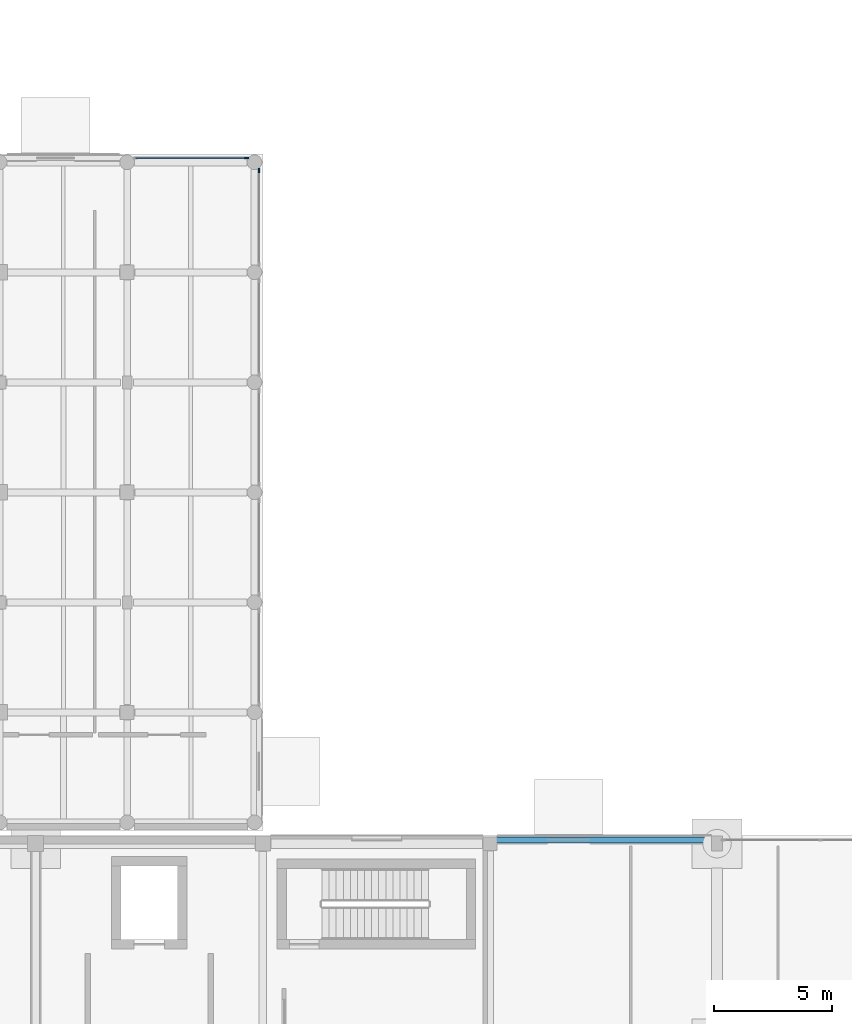
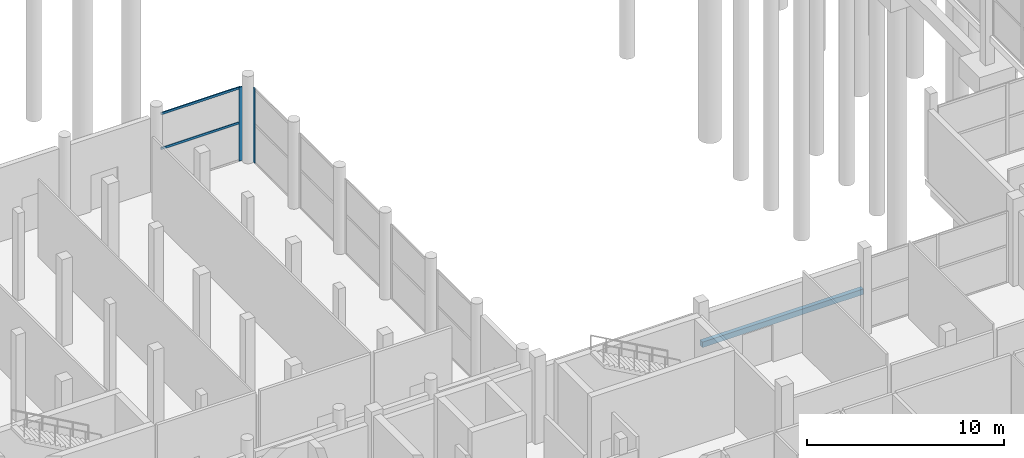
# One storey, part 30 of 88: 4 members, 1 beam, 2 elements without a shape of their own.
"""IFC4 building model written with IfcOpenShell, lengths in metres."""

from ifc_helpers import new_model, si_unit, direction, frame, origin, origin_2d, place, context, subcontext, project, spatial, rectangle, extrude, material, layer, layer_set, material_profile, profile_set, type_object, element, aggregate, save


model = new_model("IFC4")

# Units and contexts
model_context = context("Model", 3, precision=1e-05, world=origin(), true_north=direction((0.0, 1.0)))
body_context = subcontext(model_context, "Body", "Model", "MODEL_VIEW")
ifc_project = project(units=[si_unit("LENGTHUNIT", "METRE"), si_unit("AREAUNIT", "SQUARE_METRE"), si_unit("VOLUMEUNIT", "CUBIC_METRE"), si_unit("PLANEANGLEUNIT", "RADIAN"), si_unit("MASSUNIT", "GRAM", prefix="KILO")], contexts=[model_context])

# Site, building, storey
site_placement = place(None, origin())
site = spatial("IfcSite", under=ifc_project, at=site_placement, CompositionType="ELEMENT")
building_placement = place(site_placement, origin())
building = spatial("IfcBuilding", under=site, at=building_placement, Name="Birchvale Park Specialist Clinic", CompositionType="ELEMENT")
storey_placement = place(building_placement, origin())
storey = spatial("IfcBuildingStorey", under=building, at=storey_placement, Name="L00", CompositionType="ELEMENT", Elevation=0.0)

# Curtain wall, member
ifc_material_1 = material(Name="Thermally broken anodised aluminium", Category="aluminium")
ifc_layer = layer(ifc_material_1, 0.195068359375)
ifc_layer_set = layer_set([ifc_layer], Name="Thermally broken anodised aluminium")
curtain_wall_type = type_object("IfcCurtainWallType", Name="CW-U2", PredefinedType="USERDEFINED", material=ifc_layer_set)
curtain_wall_1_placement = place(storey_placement, origin())
curtain_wall_1 = element("IfcCurtainWall", 1, at=curtain_wall_1_placement, inside=storey, type_object=curtain_wall_type, Name="V1 L00 glazed curtain wall 5", ObjectType="UNITISED", PredefinedType="USERDEFINED")
ifc_material_profile_1 = material_profile(ifc_material_1, rectangle(XDim=0.06494140625, YDim=0.179931640625, at=origin_2d()), Name="CWM-65x180")
ifc_profile_set_1 = profile_set([ifc_material_profile_1], Name="Thermally broken anodised aluminium")
member_type_1 = type_object("IfcMemberType", Name="CWM2", PredefinedType="MULLION", material=ifc_profile_set_1)
member_1_placement = place(storey_placement, frame((90.034912109375, 62.70751953125, 0.0), z_axis=(0.0, 0.0, 1.0), x_axis=(-1.0, 0.0, 0.0)))
member_1 = element("IfcMember", 2, at=member_1_placement, type_object=member_type_1, Name="CW mullion 2", PredefinedType="MULLION", context=body_context, shape_type="SweptSolid", body=[
    extrude(rectangle(XDim=0.06494140625, YDim=0.179931640625, at=origin_2d()), origin(), (0.0, 0.0, 1.0), 4.625),
])
aggregate(curtain_wall_1, [member_1])

# Curtain wall, members
curtain_wall_2_placement = place(storey_placement, origin())
curtain_wall_2 = element("IfcCurtainWall", 3, at=curtain_wall_2_placement, inside=storey, type_object=curtain_wall_type, Name="V1 L00 glazed curtain wall 6", ObjectType="UNITISED", PredefinedType="USERDEFINED")
member_2_placement = place(storey_placement, frame((89.507568359375, 63.235107421875, 0.0), z_axis=(0.0, 0.0, 1.0), x_axis=(0.0, -1.0, 0.0)))
member_2 = element("IfcMember", 4, at=member_2_placement, type_object=member_type_1, Name="CW mullion 1", PredefinedType="MULLION", context=body_context, shape_type="SweptSolid", body=[
    extrude(rectangle(XDim=0.06494140625, YDim=0.179931640625, at=origin_2d()), origin(), (0.0, 0.0, 1.0), 4.574951171875),
])
ifc_material_profile_2 = material_profile(ifc_material_1, rectangle(XDim=0.06494140625, YDim=0.139892578125, at=origin_2d()), Name="CWT-65x140")
ifc_profile_set_2 = profile_set([ifc_material_profile_2], Name="Thermally broken anodised aluminium")
member_type_2 = type_object("IfcMemberType", Name="CWT2", PredefinedType="USERDEFINED", material=ifc_profile_set_2)
member_3_placement = place(storey_placement, frame((89.47509765625, 63.235107421875, 2.37890625), z_axis=(-1.0, 0.0, 0.0), x_axis=(0.0, -1.0, 0.0)))
member_3 = element("IfcMember", 5, at=member_3_placement, type_object=member_type_2, Name="CW transom 1.2", ObjectType="TRANSOM", PredefinedType="USERDEFINED", context=body_context, shape_type="SweptSolid", body=[
    extrude(rectangle(XDim=0.06494140625, YDim=0.139892578125, at=origin_2d()), origin(), (0.0, 0.0, 1.0), 4.6357421875),
])
member_4_placement = place(storey_placement, frame((89.47509765625, 63.235107421875, 4.54248046875), z_axis=(-1.0, 0.0, 0.0), x_axis=(0.0, -1.0, 0.0)))
member_4 = element("IfcMember", 6, at=member_4_placement, type_object=member_type_2, Name="CW transom 1.3", ObjectType="TRANSOM", PredefinedType="USERDEFINED", context=body_context, shape_type="SweptSolid", body=[
    extrude(rectangle(XDim=0.06494140625, YDim=0.139892578125, at=origin_2d()), origin(), (0.0, 0.0, 1.0), 4.6357421875),
])
aggregate(curtain_wall_2, [member_2, member_3, member_4])

# Beam
ifc_material_2 = material(Name="Concrete C40/50", Category="concrete")
ifc_material_profile_3 = material_profile(ifc_material_2, rectangle(XDim=0.25, YDim=0.340087890625, at=origin_2d()), Name="LNT-250x340")
ifc_profile_set_3 = profile_set([ifc_material_profile_3], Name="Concrete C40/50")
beam_type = type_object("IfcBeamType", Name="LNT-EXT-LN1", PredefinedType="LINTEL", material=ifc_profile_set_3)
beam_placement = place(storey_placement, frame((109.35009765625, 34.409912109375, 2.469970703125), z_axis=(-1.0, 0.0, 0.0), x_axis=(0.0, -1.0, 0.0)))
element("IfcBeam", 7, at=beam_placement, inside=storey, type_object=beam_type, Name="V4 L00 exit opening lintel 18", PredefinedType="LINTEL", context=body_context, shape_type="SweptSolid", body=[
    extrude(rectangle(XDim=0.25, YDim=0.340087890625, at=origin_2d()), origin(), (0.0, 0.0, 1.0), 9.445068359375),
])

save(model, "model.ifc")
